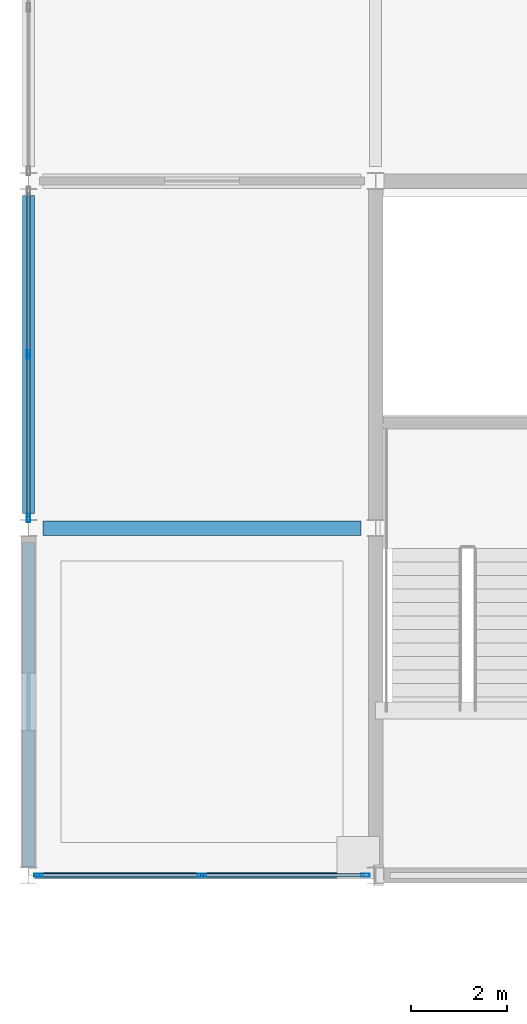
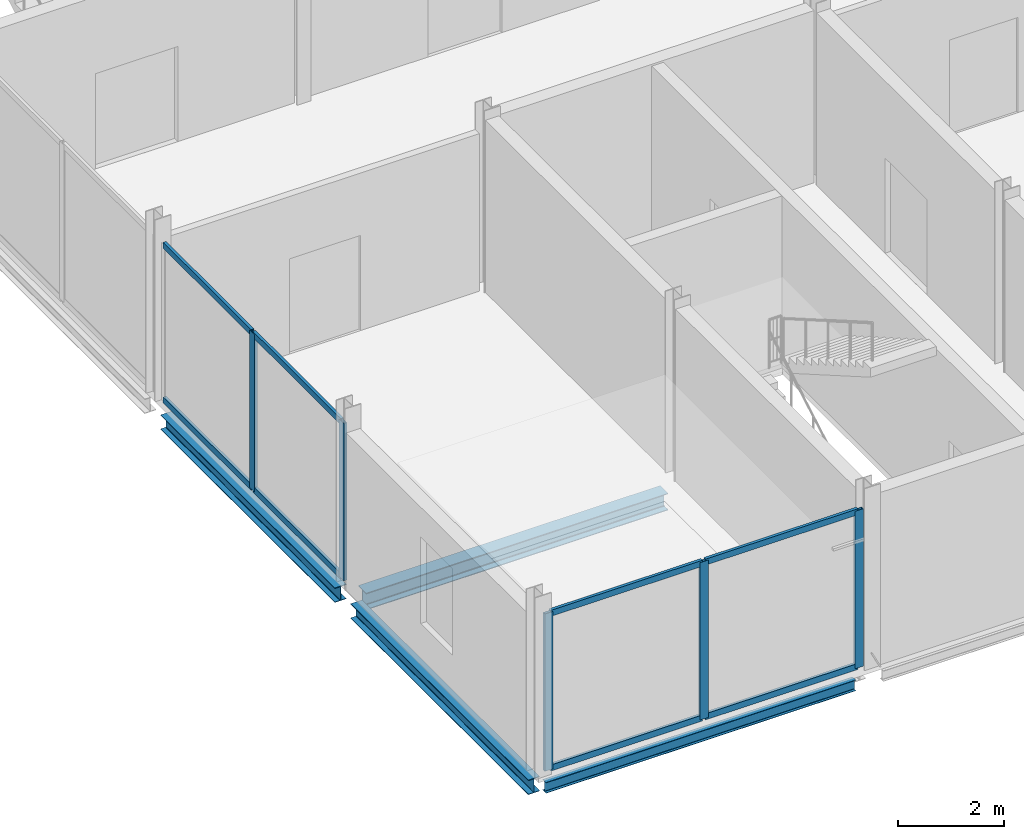
# One storey, part 5 of 26: 13 members, 4 beams, 2 elements without a shape of their own.
"""IFC4 building model written with IfcOpenShell, lengths in metres."""

from ifc_helpers import new_model, si_unit, direction, frame, origin, origin_2d, place, context, subcontext, project, spatial, hollow_rectangle, i_section, extrude, material, material_profile, profile_set, type_object, element, aggregate, save


model = new_model("IFC4")

# Units and contexts
model_context = context("Model", 3, precision=1e-05, world=origin(), true_north=direction((0.0, 1.0)))
body_context = subcontext(model_context, "Body", "Model", "MODEL_VIEW")
ifc_project = project(units=[si_unit("LENGTHUNIT", "METRE"), si_unit("AREAUNIT", "SQUARE_METRE"), si_unit("VOLUMEUNIT", "CUBIC_METRE"), si_unit("PLANEANGLEUNIT", "RADIAN"), si_unit("MASSUNIT", "GRAM", prefix="KILO")], contexts=[model_context])

# Site, building, storey
site_placement = place(None, origin())
site = spatial("IfcSite", under=ifc_project, at=site_placement, CompositionType="ELEMENT")
building_placement = place(site_placement, origin())
building = spatial("IfcBuilding", under=site, at=building_placement, Name="Vesperath Aquatics Centre", CompositionType="ELEMENT")
storey_placement = place(building_placement, frame((0.0, 0.0, 19.199951171875)))
storey = spatial("IfcBuildingStorey", under=building, at=storey_placement, Name="L04", CompositionType="ELEMENT", Elevation=19.199951171875)

# Beams
ifc_material_1 = material(Name="Steel Q355C", Category="steel")
ifc_material_profile_1 = material_profile(ifc_material_1, i_section(OverallWidth=0.300048828125, OverallDepth=0.389892578125, WebThickness=0.010009765625, FlangeThickness=0.01611328125, FilletRadius=0.02197265625, at=origin_2d()), Name="HM 390x300x10x16")
ifc_profile_set_1 = profile_set([ifc_material_profile_1], Name="Steel Q355C")
beam_type_1 = type_object("IfcBeamType", Name="BM-G11", PredefinedType="BEAM", material=ifc_profile_set_1)
beam_1_placement = place(storey_placement, frame((115.5, 7.199951171875, -0.43505859375), z_axis=(1.0, 0.0, 0.0), x_axis=(0.0, 1.0, 0.0)))
element("IfcBeam", 1, at=beam_1_placement, inside=storey, type_object=beam_type_1, Name="Floor Girder B11 L04 B 17-18", PredefinedType="BEAM", context=body_context, shape_type="SweptSolid", body=[
    extrude(i_section(OverallWidth=0.300048828125, OverallDepth=0.389892578125, WebThickness=0.010009765625, FlangeThickness=0.01611328125, FilletRadius=0.02197265625, at=origin_2d()), origin(), (0.0, 0.0, 1.0), 6.60009765625),
])
ifc_material_profile_2 = material_profile(ifc_material_1, i_section(OverallWidth=0.25, OverallDepth=0.340087890625, WebThickness=0.009033203125, FlangeThickness=0.013916015625, FilletRadius=0.02001953125, at=origin_2d()), Name="HM 340x250x9x14")
ifc_profile_set_2 = profile_set([ifc_material_profile_2], Name="Steel Q355C")
beam_type_2 = type_object("IfcBeamType", Name="BM-G12", PredefinedType="BEAM", material=ifc_profile_set_2)
beam_2_placement = place(storey_placement, frame((115.199951171875, 0.175048828125, -0.409912109375), z_axis=(0.0, 1.0, 0.0), x_axis=(-1.0, 0.0, 0.0)))
element("IfcBeam", 2, at=beam_2_placement, inside=storey, type_object=beam_type_2, Name="Floor Girder B12 L04 17 A-B", PredefinedType="BEAM", context=body_context, shape_type="SweptSolid", body=[
    extrude(i_section(OverallWidth=0.25, OverallDepth=0.340087890625, WebThickness=0.009033203125, FlangeThickness=0.013916015625, FilletRadius=0.02001953125, at=origin_2d()), origin(), (0.0, 0.0, 1.0), 6.724853515625),
])
beam_3_placement = place(storey_placement, frame((115.199951171875, 7.5, -0.409912109375), z_axis=(0.0, 1.0, 0.0), x_axis=(-1.0, 0.0, 0.0)))
element("IfcBeam", 3, at=beam_3_placement, inside=storey, type_object=beam_type_2, Name="Floor Girder B12 L04 17 B-C", PredefinedType="BEAM", context=body_context, shape_type="SweptSolid", body=[
    extrude(i_section(OverallWidth=0.25, OverallDepth=0.340087890625, WebThickness=0.009033203125, FlangeThickness=0.013916015625, FilletRadius=0.02001953125, at=origin_2d()), origin(), (0.0, 0.0, 1.0), 6.60009765625),
])
ifc_material_profile_3 = material_profile(ifc_material_1, i_section(OverallWidth=0.125, OverallDepth=0.25, WebThickness=0.006103515625, FlangeThickness=0.009033203125, FilletRadius=0.010009765625, at=origin_2d()), Name="HN 250x125x6x9")
ifc_profile_set_3 = profile_set([ifc_material_profile_3], Name="Steel Q355C")
beam_type_3 = type_object("IfcBeamType", Name="BM-LN01", PredefinedType="LINTEL", material=ifc_profile_set_3)
beam_4_placement = place(storey_placement, frame((115.324951171875, 0.0, -0.364990234375), z_axis=(1.0, 0.0, 0.0), x_axis=(0.0, 1.0, 0.0)))
element("IfcBeam", 4, at=beam_4_placement, inside=storey, type_object=beam_type_3, Name="Floor Girder LN01 L04 A 17-18", PredefinedType="LINTEL", context=body_context, shape_type="SweptSolid", body=[
    extrude(i_section(OverallWidth=0.125, OverallDepth=0.25, WebThickness=0.006103515625, FlangeThickness=0.009033203125, FilletRadius=0.010009765625, at=origin_2d()), origin(), (0.0, 0.0, 1.0), 6.775146484375),
])

# Curtain wall, members
ifc_material_2 = material(Name="Thermally broken anodised bronze aluminium curtain wall", Category="aluminium")
curtain_wall_type = type_object("IfcCurtainWallType", Name="CW-07", PredefinedType="NOTDEFINED", material=ifc_material_2)
curtain_wall_1_placement = place(storey_placement, origin())
curtain_wall_1 = element("IfcCurtainWall", 5, at=curtain_wall_1_placement, inside=storey, type_object=curtain_wall_type, Name="Facade Curtain Wall CW07 L04_S_16_00", PredefinedType="NOTDEFINED")
ifc_material_3 = material(Name="Thermally broken anodised aluminium", Category="aluminium")
ifc_material_profile_4 = material_profile(ifc_material_3, hollow_rectangle(XDim=0.06494140625, YDim=0.179931640625, WallThickness=0.00390625, at=origin_2d()), Name="CWM 65x180x4")
ifc_profile_set_4 = profile_set([ifc_material_profile_4], Name="Thermally broken anodised aluminium")
member_type_1 = type_object("IfcMemberType", Name="MB-CWM3", PredefinedType="MULLION", material=ifc_profile_set_4)
member_1_placement = place(storey_placement, frame((115.407470703125, 0.0, 0.0), z_axis=(0.0, 0.0, 1.0), x_axis=(0.0, 1.0, 0.0)))
member_1 = element("IfcMember", 6, at=member_1_placement, type_object=member_type_1, Name="CW07 mullion 1", PredefinedType="MULLION", context=body_context, shape_type="SweptSolid", body=[
    extrude(hollow_rectangle(XDim=0.06494140625, YDim=0.179931640625, WallThickness=0.00390625, at=origin_2d()), origin(), (0.0, 0.0, 1.0), 3.64013671875),
])
member_2_placement = place(storey_placement, frame((118.800048828125, 0.0, 0.0), z_axis=(0.0, 0.0, 1.0), x_axis=(0.0, 1.0, 0.0)))
member_2 = element("IfcMember", 7, at=member_2_placement, type_object=member_type_1, Name="CW07 mullion 2", PredefinedType="MULLION", context=body_context, shape_type="SweptSolid", body=[
    extrude(hollow_rectangle(XDim=0.06494140625, YDim=0.179931640625, WallThickness=0.00390625, at=origin_2d()), origin(), (0.0, 0.0, 1.0), 3.64013671875),
])
member_3_placement = place(storey_placement, frame((122.1923828125, 0.0, 0.0), z_axis=(0.0, 0.0, 1.0), x_axis=(0.0, 1.0, 0.0)))
member_3 = element("IfcMember", 8, at=member_3_placement, type_object=member_type_1, Name="CW07 mullion 3", PredefinedType="MULLION", context=body_context, shape_type="SweptSolid", body=[
    extrude(hollow_rectangle(XDim=0.06494140625, YDim=0.179931640625, WallThickness=0.00390625, at=origin_2d()), origin(), (0.0, 0.0, 1.0), 3.64013671875),
])

curtain_wall_2_placement = place(storey_placement, origin())
curtain_wall_2 = element("IfcCurtainWall", 9, at=curtain_wall_2_placement, inside=storey, type_object=curtain_wall_type, Name="Facade Curtain Wall CW07 L04_W_16_01", PredefinedType="NOTDEFINED")
member_4_placement = place(storey_placement, frame((115.199951171875, 7.407470703125, 0.0), z_axis=(0.0, 0.0, 1.0), x_axis=(-1.0, 0.0, 0.0)))
member_4 = element("IfcMember", 10, at=member_4_placement, type_object=member_type_1, Name="CW07 mullion 1", PredefinedType="MULLION", context=body_context, shape_type="SweptSolid", body=[
    extrude(hollow_rectangle(XDim=0.06494140625, YDim=0.179931640625, WallThickness=0.00390625, at=origin_2d()), origin(), (0.0, 0.0, 1.0), 3.64013671875),
])
member_5_placement = place(storey_placement, frame((115.199951171875, 10.800048828125, 0.0), z_axis=(0.0, 0.0, 1.0), x_axis=(-1.0, 0.0, 0.0)))
member_5 = element("IfcMember", 11, at=member_5_placement, type_object=member_type_1, Name="CW07 mullion 2", PredefinedType="MULLION", context=body_context, shape_type="SweptSolid", body=[
    extrude(hollow_rectangle(XDim=0.06494140625, YDim=0.179931640625, WallThickness=0.00390625, at=origin_2d()), origin(), (0.0, 0.0, 1.0), 3.64013671875),
])

# Member
ifc_material_profile_5 = material_profile(ifc_material_3, hollow_rectangle(XDim=0.06494140625, YDim=0.139892578125, WallThickness=0.00390625, at=origin_2d()), Name="CWT 65x140x4")
ifc_profile_set_5 = profile_set([ifc_material_profile_5], Name="Thermally broken anodised aluminium")
member_type_2 = type_object("IfcMemberType", Name="MB-CWT3", PredefinedType="USERDEFINED", material=ifc_profile_set_5)
member_6_placement = place(storey_placement, frame((115.43994140625, 0.0, 0.032470703125), z_axis=(1.0, 0.0, 0.0), x_axis=(0.0, 1.0, 0.0)))
member_6 = element("IfcMember", 12, at=member_6_placement, type_object=member_type_2, Name="CW07 transom 1.1", ObjectType="TRANSOM", PredefinedType="USERDEFINED", context=body_context, shape_type="SweptSolid", body=[
    extrude(hollow_rectangle(XDim=0.06494140625, YDim=0.139892578125, WallThickness=0.00390625, at=origin_2d()), origin(), (0.0, 0.0, 1.0), 3.32763671875),
])

member_7_placement = place(storey_placement, frame((115.43994140625, 0.0, 3.607666015625), z_axis=(1.0, 0.0, 0.0), x_axis=(0.0, 1.0, 0.0)))
member_7 = element("IfcMember", 13, at=member_7_placement, type_object=member_type_2, Name="CW07 transom 1.2", ObjectType="TRANSOM", PredefinedType="USERDEFINED", context=body_context, shape_type="SweptSolid", body=[
    extrude(hollow_rectangle(XDim=0.06494140625, YDim=0.139892578125, WallThickness=0.00390625, at=origin_2d()), origin(), (0.0, 0.0, 1.0), 3.32763671875),
])

member_8_placement = place(storey_placement, frame((118.83251953125, 0.0, 0.032470703125), z_axis=(1.0, 0.0, 0.0), x_axis=(0.0, 1.0, 0.0)))
member_8 = element("IfcMember", 14, at=member_8_placement, type_object=member_type_2, Name="CW07 transom 2.1", ObjectType="TRANSOM", PredefinedType="USERDEFINED", context=body_context, shape_type="SweptSolid", body=[
    extrude(hollow_rectangle(XDim=0.06494140625, YDim=0.139892578125, WallThickness=0.00390625, at=origin_2d()), origin(), (0.0, 0.0, 1.0), 3.327392578125),
])

member_9_placement = place(storey_placement, frame((118.83251953125, 0.0, 3.607666015625), z_axis=(1.0, 0.0, 0.0), x_axis=(0.0, 1.0, 0.0)))
member_9 = element("IfcMember", 15, at=member_9_placement, type_object=member_type_2, Name="CW07 transom 2.2", ObjectType="TRANSOM", PredefinedType="USERDEFINED", context=body_context, shape_type="SweptSolid", body=[
    extrude(hollow_rectangle(XDim=0.06494140625, YDim=0.139892578125, WallThickness=0.00390625, at=origin_2d()), origin(), (0.0, 0.0, 1.0), 3.327392578125),
])

aggregate(curtain_wall_1, [member_1, member_2, member_3, member_6, member_7, member_8, member_9])

member_10_placement = place(storey_placement, frame((115.199951171875, 7.43994140625, 0.032470703125), z_axis=(0.0, 1.0, 0.0), x_axis=(-1.0, 0.0, 0.0)))
member_10 = element("IfcMember", 16, at=member_10_placement, type_object=member_type_2, Name="CW07 transom 1.1", ObjectType="TRANSOM", PredefinedType="USERDEFINED", context=body_context, shape_type="SweptSolid", body=[
    extrude(hollow_rectangle(XDim=0.06494140625, YDim=0.139892578125, WallThickness=0.00390625, at=origin_2d()), origin(), (0.0, 0.0, 1.0), 3.32763671875),
])

member_11_placement = place(storey_placement, frame((115.199951171875, 7.43994140625, 3.607666015625), z_axis=(0.0, 1.0, 0.0), x_axis=(-1.0, 0.0, 0.0)))
member_11 = element("IfcMember", 17, at=member_11_placement, type_object=member_type_2, Name="CW07 transom 1.2", ObjectType="TRANSOM", PredefinedType="USERDEFINED", context=body_context, shape_type="SweptSolid", body=[
    extrude(hollow_rectangle(XDim=0.06494140625, YDim=0.139892578125, WallThickness=0.00390625, at=origin_2d()), origin(), (0.0, 0.0, 1.0), 3.32763671875),
])

member_12_placement = place(storey_placement, frame((115.199951171875, 10.83251953125, 0.032470703125), z_axis=(0.0, 1.0, 0.0), x_axis=(-1.0, 0.0, 0.0)))
member_12 = element("IfcMember", 18, at=member_12_placement, type_object=member_type_2, Name="CW07 transom 2.1", ObjectType="TRANSOM", PredefinedType="USERDEFINED", context=body_context, shape_type="SweptSolid", body=[
    extrude(hollow_rectangle(XDim=0.06494140625, YDim=0.139892578125, WallThickness=0.00390625, at=origin_2d()), origin(), (0.0, 0.0, 1.0), 3.327392578125),
])

member_13_placement = place(storey_placement, frame((115.199951171875, 10.83251953125, 3.607666015625), z_axis=(0.0, 1.0, 0.0), x_axis=(-1.0, 0.0, 0.0)))
member_13 = element("IfcMember", 19, at=member_13_placement, type_object=member_type_2, Name="CW07 transom 2.2", ObjectType="TRANSOM", PredefinedType="USERDEFINED", context=body_context, shape_type="SweptSolid", body=[
    extrude(hollow_rectangle(XDim=0.06494140625, YDim=0.139892578125, WallThickness=0.00390625, at=origin_2d()), origin(), (0.0, 0.0, 1.0), 3.327392578125),
])

aggregate(curtain_wall_2, [member_4, member_5, member_10, member_11, member_12, member_13])

save(model, "model.ifc")
